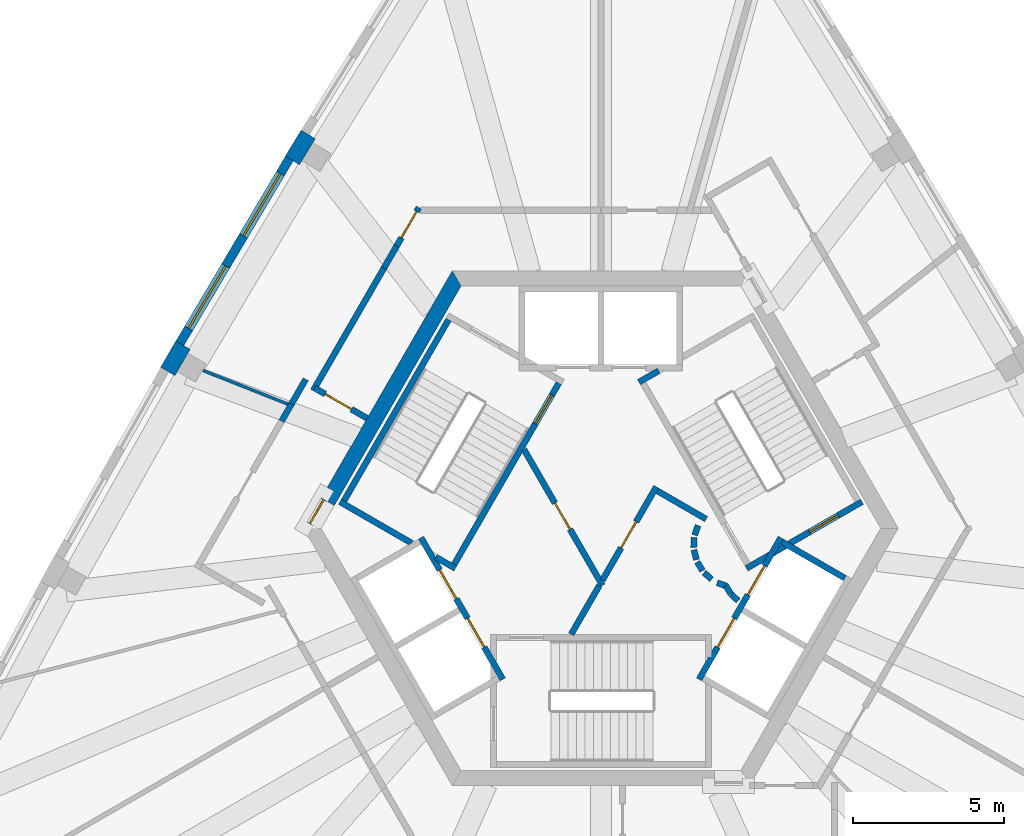
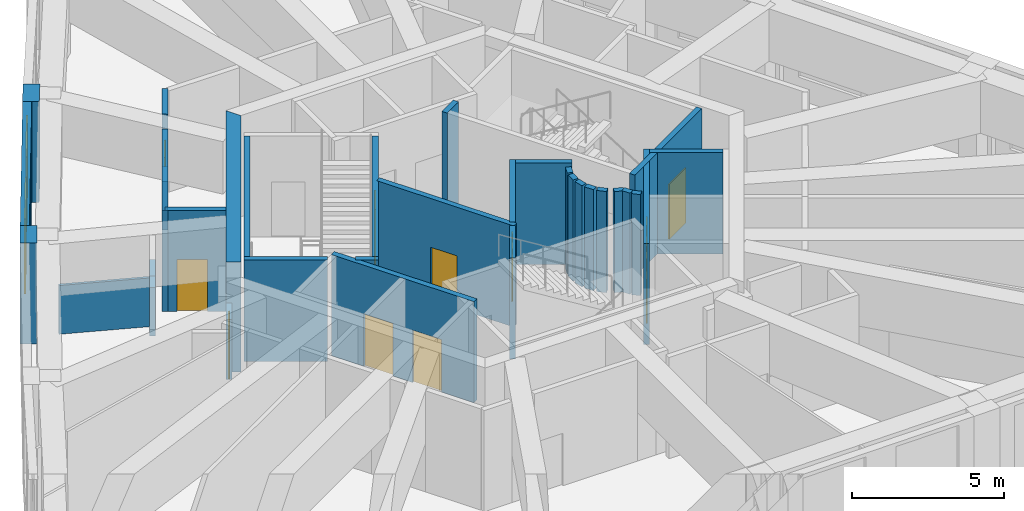
# One storey, part 4 of 9: 33 walls, 11 doors, 2 windows, 13 openings.
"""IFC4 building model written with IfcOpenShell, lengths in metres."""

import ifcopenshell
import ifcopenshell.guid

model = None  # the IFC model being written
_history = None  # IfcOwnerHistory: only IFC2X3 demands one
_inside = {}  # id of a spatial element -> (the spatial element, [elements in it])
_under = {}  # id of a project, library or spatial element -> (it, [spatial elements below it])
_declared = {}  # id of a project -> (the project, [libraries it declares])
_typed = {}  # id of a type object -> (the type object, [elements of that type])
_made_of = {}  # id of a material, layer set ... -> (it, [elements and type objects made of it])


def new_model(schema):
    """Start an empty IFC model of exactly this schema.

    Asked for "IFC4X3", IfcOpenShell would pick the latest addendum, in which some entities
    have other attributes; the version numbers below select the first issue.
    IFC2X3 requires an IfcOwnerHistory on every rooted entity: one is made here for all.
    """
    global model, _history
    if schema == "IFC4X3":
        model = ifcopenshell.file(schema_version=(4, 3, 0, 0))
    else:
        model = ifcopenshell.file(schema=schema)
    _inside.clear()
    _under.clear()
    _declared.clear()
    _typed.clear()
    _made_of.clear()
    _history = None
    if model.schema == "IFC2X3":
        org = make("IfcOrganization", Name="unknown")
        user = make(
            "IfcPersonAndOrganization",
            ThePerson=make("IfcPerson", FamilyName="unknown"),
            TheOrganization=org,
        )
        app = make(
            "IfcApplication",
            ApplicationDeveloper=org,
            Version="unknown",
            ApplicationFullName="unknown",
            ApplicationIdentifier="unknown",
        )
        _history = make(
            "IfcOwnerHistory",
            OwningUser=user,
            OwningApplication=app,
            ChangeAction="ADDED",
            CreationDate=0,
        )
    return model


def make(cls, **values):
    """One entity of the class cls with the attributes given. An attribute that is None is left unset."""
    return model.create_entity(
        cls, **{name: value for name, value in values.items() if value is not None}
    )


def rooted(cls, **values):
    """An entity with a GlobalId (a new one), such as an element, a storey or a relation."""
    return make(cls, GlobalId=ifcopenshell.guid.new(), OwnerHistory=_history, **values)


def si_unit(unit_type, name, prefix=None):
    """IfcSIUnit, for example si_unit("LENGTHUNIT", "METRE", prefix="MILLI")."""
    return make("IfcSIUnit", UnitType=unit_type, Prefix=prefix, Name=name)


def assignment(units):
    """IfcUnitAssignment: the units of a project."""
    return None if units is None else make("IfcUnitAssignment", Units=units)


def point(xyz):
    """IfcCartesianPoint."""
    return None if xyz is None else make("IfcCartesianPoint", Coordinates=xyz)


def direction(xyz):
    """IfcDirection."""
    return None if xyz is None else make("IfcDirection", DirectionRatios=xyz)


def frame(location, z_axis=None, x_axis=None):
    """IfcAxis2Placement3D, a coordinate frame: its origin and axes. An axis left out is left unset."""
    return make(
        "IfcAxis2Placement3D",
        Location=point(location),
        Axis=direction(z_axis),
        RefDirection=direction(x_axis),
    )


def frame_2d(location, x_axis=None):
    """IfcAxis2Placement2D, a coordinate frame in the plane: its origin and x axis."""
    return make(
        "IfcAxis2Placement2D", Location=point(location), RefDirection=direction(x_axis)
    )


def origin():
    """The frame at (0, 0, 0) with its axes left unset."""
    return frame((0.0, 0.0, 0.0))


def place(relative_to, where):
    """IfcLocalPlacement: puts the frame where relative to a parent placement (None: the world)."""
    return make(
        "IfcLocalPlacement", PlacementRelTo=relative_to, RelativePlacement=where
    )


def context(
    kind, dimensions, precision=None, world=None, true_north=None, identifier=None
):
    """IfcGeometricRepresentationContext, for example the 3D "Model" context."""
    return make(
        "IfcGeometricRepresentationContext",
        ContextIdentifier=identifier,
        ContextType=kind,
        CoordinateSpaceDimension=dimensions,
        Precision=precision,
        WorldCoordinateSystem=world,
        TrueNorth=true_north,
    )


def subcontext(parent, identifier, kind, view, scale=None):
    """IfcGeometricRepresentationSubContext, for example "Body" below "Model"."""
    return make(
        "IfcGeometricRepresentationSubContext",
        ContextIdentifier=identifier,
        ContextType=kind,
        ParentContext=parent,
        TargetScale=scale,
        TargetView=view,
    )


def project(units=None, contexts=None):
    """IfcProject with its units and contexts."""
    return rooted(
        "IfcProject",
        Name="project",
        RepresentationContexts=contexts,
        UnitsInContext=assignment(units),
    )


def spatial(cls, under=None, at=None, **own):
    """A site, building, storey or space (cls), placed at a placement, below another one or the project."""
    s = rooted(cls, ObjectPlacement=at, **own)
    if under is not None:
        _under.setdefault(under.id(), (under, []))[1].append(s)
    return s


def polyline(points):
    """IfcPolyline through the points."""
    return make("IfcPolyline", Points=[point(p) for p in points])


def profile(cls, at=None, kind="AREA", **sizes):
    """A parametric profile (cls). Its sizes go by their IFC names, for example OverallWidth=200.0."""
    return make(cls, ProfileType=kind, Position=at, **sizes)


def rectangle(**sizes):
    """IfcRectangleProfileDef."""
    return profile("IfcRectangleProfileDef", **sizes)


def outline(outer, holes=None, kind="AREA"):
    """IfcArbitraryClosedProfileDef: a profile drawn as a closed curve; with holes, ...WithVoids."""
    if holes is None:
        return make("IfcArbitraryClosedProfileDef", ProfileType=kind, OuterCurve=outer)
    return make(
        "IfcArbitraryProfileDefWithVoids",
        ProfileType=kind,
        OuterCurve=outer,
        InnerCurves=holes,
    )


def extrude(swept, where, along, depth):
    """IfcExtrudedAreaSolid: the profile swept, set in the frame where, extruded along a direction by depth."""
    return make(
        "IfcExtrudedAreaSolid",
        SweptArea=swept,
        Position=where,
        ExtrudedDirection=direction(along),
        Depth=depth,
    )


def shape(context_of_items, identifier, shape_type, items):
    """IfcShapeRepresentation: the items that make up one representation, for example the "Body"."""
    return make(
        "IfcShapeRepresentation",
        ContextOfItems=context_of_items,
        RepresentationIdentifier=identifier,
        RepresentationType=shape_type,
        Items=items,
    )


def material(Name=None, Category=None):
    """IfcMaterial."""
    return make("IfcMaterial", Name=Name, Category=Category)


def layer(
    of_material, thickness, ventilated=None, Name=None, Category=None, Priority=None
):
    """IfcMaterialLayer: one layer of a wall or slab, of a material (None: an air gap)."""
    return make(
        "IfcMaterialLayer",
        Material=of_material,
        LayerThickness=thickness,
        IsVentilated=ventilated,
        Name=Name,
        Category=Category,
        Priority=Priority,
    )


def layer_set(layers, Name=None):
    """IfcMaterialLayerSet."""
    return make("IfcMaterialLayerSet", MaterialLayers=layers, LayerSetName=Name)


def made_of(thing, what):
    """Note that an element or type object is made of a material, layer set ...; save() writes the relation."""
    if what is not None:
        _made_of.setdefault(what.id(), (what, []))[1].append(thing)
    return thing


def type_object(cls, material=None, **own):
    """A type object (cls), such as IfcWallType, which elements share."""
    return made_of(rooted(cls, **own), material)


def element(
    cls,
    number,
    at=None,
    inside=None,
    cuts=None,
    type_object=None,
    material=None,
    context=None,
    identifier="Body",
    shape_type=None,
    held_by="IfcProductDefinitionShape",
    body=None,
    shapes=None,
    **own,
):
    """One element of the class cls, such as IfcWall. Its Tag is "e" and its number.

    at: its placement. inside: the storey or other place that contains it. cuts: it is an
    opening in that element (IfcRelVoidsElement). A single representation is given by context,
    identifier, shape_type and body (its items); several are given by shapes. held_by: the class
    of the entity that holds the representations. save() writes the other relations.
    """
    e = rooted(cls, Tag="e%d" % number, ObjectPlacement=at, **own)
    if body is not None:
        shapes = [shape(context, identifier, shape_type, body)]
    if shapes is not None:
        e.Representation = make(held_by, Representations=shapes)
    if inside is not None:
        _inside.setdefault(inside.id(), (inside, []))[1].append(e)
    if cuts is not None:
        rooted(
            "IfcRelVoidsElement", RelatingBuildingElement=cuts, RelatedOpeningElement=e
        )
    if type_object is not None:
        _typed.setdefault(type_object.id(), (type_object, []))[1].append(e)
    return made_of(e, material)


def fill(opening, filler):
    """IfcRelFillsElement: the door or window that sits in an opening."""
    return rooted(
        "IfcRelFillsElement",
        RelatingOpeningElement=opening,
        RelatedBuildingElement=filler,
    )


def aggregate(whole, parts):
    """IfcRelAggregates: a whole, such as a stair, and the parts it consists of."""
    return rooted("IfcRelAggregates", RelatingObject=whole, RelatedObjects=parts)


def save(model, path):
    """Write the relations noted so far, then the file.

    IfcRelAggregates (storeys below a building ...), IfcRelContainedInSpatialStructure (elements
    in a storey), IfcRelDefinesByType, IfcRelAssociatesMaterial and IfcRelDeclares: one each for
    every whole, place, type object, material and project.
    """
    for whole, parts in _under.values():
        aggregate(whole, parts)
    for where, things in _inside.values():
        rooted(
            "IfcRelContainedInSpatialStructure",
            RelatedElements=things,
            RelatingStructure=where,
        )
    for kind, things in _typed.values():
        rooted("IfcRelDefinesByType", RelatedObjects=things, RelatingType=kind)
    for what, things in _made_of.values():
        rooted("IfcRelAssociatesMaterial", RelatedObjects=things, RelatingMaterial=what)
    for by, libraries in _declared.values():
        rooted("IfcRelDeclares", RelatingContext=by, RelatedDefinitions=libraries)
    model.write(path)


model = new_model("IFC4")

# Units and contexts
model_context = context("Model", 3, precision=1e-05, world=origin(), true_north=direction((0.0, 1.0)))
body_context = subcontext(model_context, "Body", "Model", "MODEL_VIEW")
ifc_project = project(units=[si_unit("LENGTHUNIT", "METRE"), si_unit("AREAUNIT", "SQUARE_METRE"), si_unit("VOLUMEUNIT", "CUBIC_METRE"), si_unit("PLANEANGLEUNIT", "RADIAN"), si_unit("MASSUNIT", "GRAM", prefix="KILO")], contexts=[model_context])

# Site, building, storey
site_placement = place(None, origin())
site = spatial("IfcSite", under=ifc_project, at=site_placement, CompositionType="ELEMENT")
building_placement = place(site_placement, origin())
building = spatial("IfcBuilding", under=site, at=building_placement, Name="Entoto Arch Interchange Tower", CompositionType="ELEMENT")
storey_placement = place(building_placement, frame((0.0, 0.0, 335.89990234375)))
storey = spatial("IfcBuildingStorey", under=building, at=storey_placement, Name="L79", CompositionType="ELEMENT", Elevation=335.89990234375)

# Wall, opening, door
ifc_material_1 = material(Name="Reinforced concrete C40/50", Category="concrete")
ifc_layer_1 = layer(ifc_material_1, 0.199951171875)
ifc_layer_set_1 = layer_set([ifc_layer_1], Name="Reinforced concrete C40/50")
wall_type_1 = type_object("IfcWallType", Name="CORE GAP INFILL WALL", PredefinedType="PARTITIONING", material=ifc_layer_set_1)
wall_1_placement = place(storey_placement, frame((-9.14990234375, 3.451904296875, 0.0), z_axis=(0.0, 0.0, 1.0), x_axis=(-0.500079945886, -0.865979242085, 0.0)))
wall_1 = element("IfcWall", 1, at=wall_1_placement, inside=storey, type_object=wall_type_1, Name="wall:L79:gap3", PredefinedType="PARTITIONING", context=body_context, shape_type="SweptSolid", body=[
    extrude(rectangle(XDim=0.926025390625, YDim=0.199951171875, at=frame_2d((0.462890625, 0.0))), origin(), (0.0, 0.0, 1.0), 2.400146484375),
])
opening_1_placement = place(wall_1_placement, frame((0.01708984375, 0.0, 0.0)))
opening_1 = element("IfcOpeningElement", 2, at=opening_1_placement, cuts=wall_1, Name="Opening L79-D93", PredefinedType="OPENING", context=body_context, shape_type="SweptSolid", body=[
    extrude(rectangle(XDim=0.89990234375, YDim=2.10009765625, at=frame_2d((0.449951171875, 1.050048828125))), frame((0.0, 0.10986328125, 0.0), z_axis=(0.0, -1.0, 0.0), x_axis=(1.0, 0.0, 0.0)), (0.0, 0.0, 1.0), 0.219970703125),
])
ifc_material_2 = material(Name="Fire-rated Steel S235 door and frame", Category="steel")
door_type_1 = type_object("IfcDoorType", Name="DOOR FD-09 900x2100", OperationType="SINGLE_SWING_LEFT", PredefinedType="DOOR", material=ifc_material_2)
door_1_placement = place(opening_1_placement, origin())
door_1 = element("IfcDoor", 3, at=door_1_placement, inside=storey, type_object=door_type_1, Name="door:L79:gap3", OperationType="SINGLE_SWING_LEFT", OverallHeight=2.10009765625, OverallWidth=0.89990234375, PredefinedType="DOOR", context=body_context, shape_type="SweptSolid", body=[
    extrude(rectangle(XDim=0.89990234375, YDim=2.10009765625, at=frame_2d((0.449951171875, 1.050048828125))), frame((0.0, 0.02490234375, 0.0), z_axis=(0.0, -1.0, 0.0), x_axis=(1.0, 0.0, 0.0)), (0.0, 0.0, 1.0), 0.050048828125),
])
fill(opening_1, door_1)

# Wall
ifc_material_3 = material(Name="Concrete C40/50", Category="concrete")
ifc_layer_2 = layer(ifc_material_3, 0.5)
ifc_layer_set_2 = layer_set([ifc_layer_2], Name="Concrete C40/50")
wall_type_2 = type_object("IfcWallType", Name="Core wall 500 C40/50", PredefinedType="SHEAR", material=ifc_layer_set_2)
wall_2_placement = place(storey_placement, frame((0.0, 0.0, -0.349853515625)))
element("IfcWall", 4, at=wall_2_placement, inside=storey, type_object=wall_type_2, Name="Core wall NW L79", PredefinedType="SHEAR", context=body_context, shape_type="SweptSolid", body=[
    extrude(outline(polyline([(-9.236083984375, 3.501953125), (-8.802978515625, 3.2529296875), (-4.618896484375, 10.5), (-4.906982421875, 11.0), (-9.236083984375, 3.501953125)])), origin(), (0.0, 0.0, 1.0), 4.39990234375),
])

# Wall, openings, doors
ifc_layer_3 = layer(ifc_material_3, 0.199951171875)
ifc_layer_set_3 = layer_set([ifc_layer_3], Name="Concrete C40/50")
wall_type_3 = type_object("IfcWallType", Name="LIFT SHAFT WALL 200", PredefinedType="STANDARD", material=ifc_layer_set_3)
wall_3_placement = place(storey_placement, frame((-5.93994140625, 2.18798828125, 0.0), z_axis=(0.0, 0.0, 1.0), x_axis=(0.500034260056, -0.866005622828, 0.0)))
wall_3 = element("IfcWall", 5, at=wall_3_placement, inside=storey, type_object=wall_type_3, Name="Shaft wall SW1 front", PredefinedType="STANDARD", context=body_context, shape_type="SweptSolid", body=[
    extrude(rectangle(XDim=5.3994140625, YDim=0.199951171875, at=frame_2d((2.69970703125, 0.0))), origin(), (0.0, 0.0, 1.0), 4.050048828125),
])
opening_2_placement = place(wall_3_placement, frame((3.074951171875, 0.0, 0.0)))
opening_2 = element("IfcOpeningElement", 6, at=opening_2_placement, cuts=wall_3, Name="Opening LD-HR4-L79", PredefinedType="OPENING", context=body_context, shape_type="SweptSolid", body=[
    extrude(rectangle(XDim=1.10009765625, YDim=2.10009765625, at=frame_2d((0.550048828125, 1.050048828125))), frame((0.0, 0.10986328125, 0.0), z_axis=(0.0, -1.0, 0.0), x_axis=(1.0, 0.0, 0.0)), (0.0, 0.0, 1.0), 0.219970703125),
])
opening_3_placement = place(wall_3_placement, frame((1.22509765625, 0.0, 0.0)))
opening_3 = element("IfcOpeningElement", 7, at=opening_3_placement, cuts=wall_3, Name="Opening LD-FF2-L79", PredefinedType="OPENING", context=body_context, shape_type="SweptSolid", body=[
    extrude(rectangle(XDim=1.10009765625, YDim=2.10009765625, at=frame_2d((0.550048828125, 1.050048828125))), frame((0.0, 0.10986328125, 0.0), z_axis=(0.0, -1.0, 0.0), x_axis=(1.0, 0.0, 0.0)), (0.0, 0.0, 1.0), 0.219970703125),
])
ifc_material_4 = material(Name="Stainless steel 1.4301 panels", Category="steel")
door_type_2 = type_object("IfcDoorType", Name="LIFT LANDING DOOR LD1 1100x2100", OperationType="SLIDING_TO_LEFT", PredefinedType="DOOR", material=ifc_material_4)
door_2_placement = place(opening_2_placement, origin())
door_2 = element("IfcDoor", 8, at=door_2_placement, inside=storey, type_object=door_type_2, Name="Lift landing door HR4 L79", OperationType="SLIDING_TO_LEFT", OverallHeight=2.10009765625, OverallWidth=1.10009765625, PredefinedType="DOOR", context=body_context, shape_type="SweptSolid", body=[
    extrude(rectangle(XDim=1.10009765625, YDim=2.10009765625, at=frame_2d((0.550048828125, 1.050048828125))), frame((0.0, 0.02490234375, 0.0), z_axis=(0.0, -1.0, 0.0), x_axis=(1.0, 0.0, 0.0)), (0.0, 0.0, 1.0), 0.050048828125),
])
fill(opening_2, door_2)
door_3_placement = place(opening_3_placement, origin())
door_3 = element("IfcDoor", 9, at=door_3_placement, inside=storey, type_object=door_type_2, Name="Lift landing door FF2 L79", OperationType="SLIDING_TO_LEFT", OverallHeight=2.10009765625, OverallWidth=1.10009765625, PredefinedType="DOOR", context=body_context, shape_type="SweptSolid", body=[
    extrude(rectangle(XDim=1.10009765625, YDim=2.10009765625, at=frame_2d((0.550048828125, 1.050048828125))), frame((0.0, 0.02490234375, 0.0), z_axis=(0.0, -1.0, 0.0), x_axis=(1.0, 0.0, 0.0)), (0.0, 0.0, 1.0), 0.050048828125),
])
fill(opening_3, door_3)

wall_4_placement = place(storey_placement, frame((3.239990234375, -2.488037109375, 0.0), z_axis=(0.0, 0.0, 1.0), x_axis=(0.500034260056, 0.866005622828, 0.0)))
wall_4 = element("IfcWall", 10, at=wall_4_placement, inside=storey, type_object=wall_type_3, Name="Shaft wall SE1 front", PredefinedType="STANDARD", context=body_context, shape_type="SweptSolid", body=[
    extrude(rectangle(XDim=5.3994140625, YDim=0.199951171875, at=frame_2d((2.69970703125, 0.0))), origin(), (0.0, 0.0, 1.0), 4.050048828125),
])
opening_4_placement = place(wall_4_placement, frame((3.22509765625, 0.0, 0.0)))
opening_4 = element("IfcOpeningElement", 11, at=opening_4_placement, cuts=wall_4, Name="Opening LD-HR3-L79", PredefinedType="OPENING", context=body_context, shape_type="SweptSolid", body=[
    extrude(rectangle(XDim=1.10009765625, YDim=2.10009765625, at=frame_2d((0.550048828125, 1.050048828125))), frame((0.0, 0.10986328125, 0.0), z_axis=(0.0, -1.0, 0.0), x_axis=(1.0, 0.0, 0.0)), (0.0, 0.0, 1.0), 0.219970703125),
])
opening_5_placement = place(wall_4_placement, frame((1.22509765625, 0.0, 0.0)))
opening_5 = element("IfcOpeningElement", 12, at=opening_5_placement, cuts=wall_4, Name="Opening LD-FF1-L79", PredefinedType="OPENING", context=body_context, shape_type="SweptSolid", body=[
    extrude(rectangle(XDim=1.10009765625, YDim=2.10009765625, at=frame_2d((0.550048828125, 1.050048828125))), frame((0.0, 0.10986328125, 0.0), z_axis=(0.0, -1.0, 0.0), x_axis=(1.0, 0.0, 0.0)), (0.0, 0.0, 1.0), 0.219970703125),
])
door_4_placement = place(opening_4_placement, origin())
door_4 = element("IfcDoor", 13, at=door_4_placement, inside=storey, type_object=door_type_2, Name="Lift landing door HR3 L79", OperationType="SLIDING_TO_LEFT", OverallHeight=2.10009765625, OverallWidth=1.10009765625, PredefinedType="DOOR", context=body_context, shape_type="SweptSolid", body=[
    extrude(rectangle(XDim=1.10009765625, YDim=2.10009765625, at=frame_2d((0.550048828125, 1.050048828125))), frame((0.0, 0.02490234375, 0.0), z_axis=(0.0, -1.0, 0.0), x_axis=(1.0, 0.0, 0.0)), (0.0, 0.0, 1.0), 0.050048828125),
])
fill(opening_4, door_4)
door_5_placement = place(opening_5_placement, origin())
door_5 = element("IfcDoor", 14, at=door_5_placement, inside=storey, type_object=door_type_2, Name="Lift landing door FF1 L79", OperationType="SLIDING_TO_LEFT", OverallHeight=2.10009765625, OverallWidth=1.10009765625, PredefinedType="DOOR", context=body_context, shape_type="SweptSolid", body=[
    extrude(rectangle(XDim=1.10009765625, YDim=2.10009765625, at=frame_2d((0.550048828125, 1.050048828125))), frame((0.0, 0.02490234375, 0.0), z_axis=(0.0, -1.0, 0.0), x_axis=(1.0, 0.0, 0.0)), (0.0, 0.0, 1.0), 0.050048828125),
])
fill(opening_5, door_5)

# Walls
wall_5_placement = place(storey_placement, frame((5.97705078125, 2.052001953125, 0.0), z_axis=(0.0, 0.0, 1.0), x_axis=(0.865973769406, -0.500089422704, 0.0)))
element("IfcWall", 15, at=wall_5_placement, inside=storey, type_object=wall_type_3, Name="Shaft wall SE1 cross 3", PredefinedType="STANDARD", context=body_context, shape_type="SweptSolid", body=[
    extrude(rectangle(XDim=2.3994140625, YDim=0.199951171875, at=frame_2d((1.19970703125, 0.0))), origin(), (0.0, 0.0, 1.0), 4.050048828125),
])
ifc_material_5 = material(Name="Gypsum board partition on steel studs", Category="steel")
ifc_layer_4 = layer(ifc_material_5, 0.10009765625)
ifc_layer_set_4 = layer_set([ifc_layer_4], Name="Gypsum board partition on steel studs")
wall_type_4 = type_object("IfcWallType", Name="PARTITION 100", PredefinedType="PARTITIONING", material=ifc_layer_set_4)
wall_6_placement = place(storey_placement, frame((-13.135009765625, 7.708984375, 0.0), z_axis=(0.0, 0.0, 1.0), x_axis=(0.929543616209, -0.368712171707, 0.0)))
element("IfcWall", 16, at=wall_6_placement, inside=storey, type_object=wall_type_4, Name="wall:L79:p047", PredefinedType="PARTITIONING", context=body_context, shape_type="SweptSolid", body=[
    extrude(rectangle(XDim=3.11328125, YDim=0.10009765625, at=frame_2d((1.556640625, 0.0))), origin(), (0.0, 0.0, 1.0), 1.9501953125),
])
ifc_layer_5 = layer(ifc_material_5, 0.199951171875)
ifc_layer_set_5 = layer_set([ifc_layer_5], Name="Gypsum board partition on steel studs")
wall_type_5 = type_object("IfcWallType", Name="PARTITION 200", PredefinedType="PARTITIONING", material=ifc_layer_set_5)
wall_7_placement = place(storey_placement, frame((-0.98193359375, -1.0, 0.0), z_axis=(0.0, 0.0, 1.0), x_axis=(0.50024047865, 0.865886518847, 0.0)))
element("IfcWall", 17, at=wall_7_placement, inside=storey, type_object=wall_type_5, Name="wall:L79:p001", PredefinedType="PARTITIONING", context=body_context, shape_type="SweptSolid", body=[
    extrude(rectangle(XDim=1.86279296875, YDim=0.199951171875, at=frame_2d((0.931396484375, 0.0))), origin(), (0.0, 0.0, 1.0), 4.050048828125),
])
wall_8_placement = place(storey_placement, frame((1.865966796875, 3.73193359375, 0.0), z_axis=(0.0, 0.0, 1.0), x_axis=(0.866043361281, -0.499968895414, 0.0)))
element("IfcWall", 18, at=wall_8_placement, inside=storey, type_object=wall_type_5, Name="wall:L79:p002", PredefinedType="PARTITIONING", context=body_context, shape_type="SweptSolid", body=[
    extrude(rectangle(XDim=1.85791015625, YDim=0.199951171875, at=frame_2d((0.928955078125, 0.0))), origin(), (0.0, 0.0, 1.0), 4.050048828125),
])
wall_9_placement = place(storey_placement, frame((3.2080078125, 2.592041015625, 0.0), z_axis=(0.0, 0.0, 1.0), x_axis=(-0.337388820924, -0.941365382578, 0.0)))
element("IfcWall", 19, at=wall_9_placement, inside=storey, type_object=wall_type_5, Name="wall:L79:p003", PredefinedType="PARTITIONING", context=body_context, shape_type="SweptSolid", body=[
    extrude(rectangle(XDim=0.337890625, YDim=0.199951171875, at=frame_2d((0.1689453125, 0.0))), origin(), (0.0, 0.0, 1.0), 4.050048828125),
])
wall_10_placement = place(storey_placement, frame((3.0791015625, 2.198974609375, 0.0), z_axis=(0.0, 0.0, 1.0), x_axis=(-0.047771483479, -0.998858290933, 0.0)))
element("IfcWall", 20, at=wall_10_placement, inside=storey, type_object=wall_type_5, Name="wall:L79:p004", PredefinedType="PARTITIONING", context=body_context, shape_type="SweptSolid", body=[
    extrude(rectangle(XDim=0.33740234375, YDim=0.199951171875, at=frame_2d((0.168701171875, 0.0))), origin(), (0.0, 0.0, 1.0), 4.050048828125),
])
wall_11_placement = place(storey_placement, frame((3.070068359375, 1.785888671875, 0.0), z_axis=(0.0, 0.0, 1.0), x_axis=(0.242705583207, -0.970099994784, 0.0)))
element("IfcWall", 21, at=wall_11_placement, inside=storey, type_object=wall_type_5, Name="wall:L79:p005", PredefinedType="PARTITIONING", context=body_context, shape_type="SweptSolid", body=[
    extrude(rectangle(XDim=0.337890625, YDim=0.199951171875, at=frame_2d((0.1689453125, 0.0))), origin(), (0.0, 0.0, 1.0), 4.050048828125),
])
for number, where, z_axis, x_axis, name in (
    (22, (3.181884765625, 1.387939453125, 0.0), (0.0, 0.0, 1.0), (0.512474702713, -0.85870232274, 0.0), "wall:L79:p006"),
    (23, (3.404052734375, 1.0390625, 0.0), (0.0, 0.0, 1.0), (0.740267097712, -0.672312891476, 0.0), "wall:L79:p007"),
):
    element("IfcWall", number, at=place(storey_placement, frame(where, z_axis=z_axis, x_axis=x_axis)), inside=storey, type_object=wall_type_5, Name=name, PredefinedType="PARTITIONING", context=body_context, shape_type="SweptSolid", body=[
        extrude(rectangle(XDim=0.337646484375, YDim=0.199951171875, at=frame_2d((0.1689453125, 0.0))), origin(), (0.0, 0.0, 1.0), 4.050048828125),
    ])
wall_12_placement = place(storey_placement, frame((3.837890625, 0.701904296875, 0.0), z_axis=(0.0, 0.0, 1.0), x_axis=(0.941035081519, -0.338308993895, 0.0)))
element("IfcWall", 24, at=wall_12_placement, inside=storey, type_object=wall_type_5, Name="wall:L79:p008", PredefinedType="PARTITIONING", context=body_context, shape_type="SweptSolid", body=[
    extrude(rectangle(XDim=0.3369140625, YDim=0.199951171875, at=frame_2d((0.16845703125, 0.0))), origin(), (0.0, 0.0, 1.0), 4.050048828125),
])
wall_13_placement = place(storey_placement, frame((4.132080078125, 0.593017578125, 0.0), z_axis=(0.0, 0.0, 1.0), x_axis=(0.513561617048, -0.858052717201, 0.0)))
element("IfcWall", 25, at=wall_13_placement, inside=storey, type_object=wall_type_5, Name="wall:L79:p009", PredefinedType="PARTITIONING", context=body_context, shape_type="SweptSolid", body=[
    extrude(rectangle(XDim=0.3076171875, YDim=0.199951171875, at=frame_2d((0.15380859375, 0.0))), origin(), (0.0, 0.0, 1.0), 4.050048828125),
])
wall_14_placement = place(storey_placement, frame((4.301025390625, 0.31494140625, 0.0), z_axis=(0.0, 0.0, 1.0), x_axis=(0.741798017506, -0.670623367639, 0.0)))
element("IfcWall", 26, at=wall_14_placement, inside=storey, type_object=wall_type_5, Name="wall:L79:p010", PredefinedType="PARTITIONING", context=body_context, shape_type="SweptSolid", body=[
    extrude(rectangle(XDim=0.30859375, YDim=0.199951171875, at=frame_2d((0.154296875, 0.0))), origin(), (0.0, 0.0, 1.0), 4.050048828125),
])

# Wall, opening, door
wall_15_placement = place(storey_placement, frame((0.050048828125, 0.787109375, 0.0), z_axis=(0.0, 0.0, 1.0), x_axis=(0.499954076797, 0.866051915934, 0.0)))
wall_15 = element("IfcWall", 27, at=wall_15_placement, inside=storey, type_object=wall_type_5, Name="wall:L79:p011", PredefinedType="PARTITIONING", context=body_context, shape_type="SweptSolid", body=[
    extrude(rectangle(XDim=3.558349609375, YDim=0.199951171875, at=frame_2d((1.779296875, 0.0))), origin(), (0.0, 0.0, 1.0), 4.050048828125),
])
opening_6_placement = place(wall_15_placement, frame((1.22900390625, 0.0, 0.0)))
opening_6 = element("IfcOpeningElement", 28, at=opening_6_placement, cuts=wall_15, Name="Opening L79-D15", PredefinedType="OPENING", context=body_context, shape_type="SweptSolid", body=[
    extrude(rectangle(XDim=1.0, YDim=2.10009765625, at=frame_2d((0.5, 1.050048828125))), frame((0.0, 0.10986328125, 0.0), z_axis=(0.0, -1.0, 0.0), x_axis=(1.0, 0.0, 0.0)), (0.0, 0.0, 1.0), 0.219970703125),
])
door_type_3 = type_object("IfcDoorType", Name="DOOR FD-10 1000x2100", OperationType="SINGLE_SWING_LEFT", PredefinedType="DOOR", material=ifc_material_2)
door_6_placement = place(opening_6_placement, origin())
door_6 = element("IfcDoor", 29, at=door_6_placement, inside=storey, type_object=door_type_3, Name="door:L79:15", OperationType="SINGLE_SWING_RIGHT", OverallHeight=2.10009765625, OverallWidth=1.0, PredefinedType="DOOR", context=body_context, shape_type="SweptSolid", body=[
    extrude(rectangle(XDim=1.0, YDim=2.10009765625, at=frame_2d((0.5, 1.050048828125))), frame((0.0, 0.02490234375, 0.0), z_axis=(0.0, -1.0, 0.0), x_axis=(1.0, 0.0, 0.0)), (0.0, 0.0, 1.0), 0.050048828125),
])
fill(opening_6, door_6)

wall_16_placement = place(storey_placement, frame((-2.5400390625, 5.10009765625, 0.0), z_axis=(0.0, 0.0, 1.0), x_axis=(0.499925051871, -0.866068670783, 0.0)))
wall_16 = element("IfcWall", 30, at=wall_16_placement, inside=storey, type_object=wall_type_5, Name="wall:L79:p012", PredefinedType="PARTITIONING", context=body_context, shape_type="SweptSolid", body=[
    extrude(rectangle(XDim=5.180908203125, YDim=0.199951171875, at=frame_2d((2.59033203125, 0.0))), origin(), (0.0, 0.0, 1.0), 4.050048828125),
])
opening_7_placement = place(wall_16_placement, frame((2.0400390625, 0.0, 0.0)))
opening_7 = element("IfcOpeningElement", 31, at=opening_7_placement, cuts=wall_16, Name="Opening L79-D16", PredefinedType="OPENING", context=body_context, shape_type="SweptSolid", body=[
    extrude(rectangle(XDim=1.0, YDim=2.10009765625, at=frame_2d((0.5, 1.050048828125))), frame((0.0, 0.10986328125, 0.0), z_axis=(0.0, -1.0, 0.0), x_axis=(1.0, 0.0, 0.0)), (0.0, 0.0, 1.0), 0.219970703125),
])
door_7_placement = place(opening_7_placement, origin())
door_7 = element("IfcDoor", 32, at=door_7_placement, inside=storey, type_object=door_type_3, Name="door:L79:16", OperationType="SINGLE_SWING_RIGHT", OverallHeight=2.10009765625, OverallWidth=1.0, PredefinedType="DOOR", context=body_context, shape_type="SweptSolid", body=[
    extrude(rectangle(XDim=1.0, YDim=2.10009765625, at=frame_2d((0.5, 1.050048828125))), frame((0.0, 0.02490234375, 0.0), z_axis=(0.0, -1.0, 0.0), x_axis=(1.0, 0.0, 0.0)), (0.0, 0.0, 1.0), 0.050048828125),
])
fill(opening_7, door_7)

wall_17_placement = place(storey_placement, frame((-9.449951171875, 7.132080078125, 0.0), z_axis=(0.0, 0.0, 1.0), x_axis=(0.866010750942, -0.50002537861, 0.0)))
wall_17 = element("IfcWall", 33, at=wall_17_placement, inside=storey, type_object=wall_type_5, Name="wall:L79:p039", PredefinedType="PARTITIONING", context=body_context, shape_type="SweptSolid", body=[
    extrude(rectangle(XDim=2.0, YDim=0.199951171875, at=frame_2d((1.0, 0.0))), origin(), (0.0, 0.0, 1.0), 4.050048828125),
])
opening_8_placement = place(wall_17_placement, frame((0.39990234375, 0.0, 0.0)))
opening_8 = element("IfcOpeningElement", 34, at=opening_8_placement, cuts=wall_17, Name="Opening L79-D11", PredefinedType="OPENING", context=body_context, shape_type="SweptSolid", body=[
    extrude(rectangle(XDim=1.0, YDim=2.10009765625, at=frame_2d((0.5, 1.050048828125))), frame((0.0, 0.10986328125, 0.0), z_axis=(0.0, -1.0, 0.0), x_axis=(1.0, 0.0, 0.0)), (0.0, 0.0, 1.0), 0.219970703125),
])
door_8_placement = place(opening_8_placement, origin())
door_8 = element("IfcDoor", 35, at=door_8_placement, inside=storey, type_object=door_type_3, Name="door:L79:11", OperationType="SINGLE_SWING_LEFT", OverallHeight=2.10009765625, OverallWidth=1.0, PredefinedType="DOOR", context=body_context, shape_type="SweptSolid", body=[
    extrude(rectangle(XDim=1.0, YDim=2.10009765625, at=frame_2d((0.5, 1.050048828125))), frame((0.0, 0.02490234375, 0.0), z_axis=(0.0, -1.0, 0.0), x_axis=(1.0, 0.0, 0.0)), (0.0, 0.0, 1.0), 0.050048828125),
])
fill(opening_8, door_8)

# Walls
wall_18_placement = place(storey_placement, frame((-10.216064453125, 6.60400390625, 0.0), z_axis=(0.0, 0.0, 1.0), x_axis=(0.499572668549, 0.866271983178, 0.0)))
element("IfcWall", 36, at=wall_18_placement, inside=storey, type_object=wall_type_5, Name="wall:L79:p043", PredefinedType="PARTITIONING", context=body_context, shape_type="SweptSolid", body=[
    extrude(rectangle(XDim=0.940673828125, YDim=0.199951171875, at=frame_2d((0.47021484375, 0.0))), origin(), (0.0, 0.0, 1.0), 1.9501953125),
])
wall_19_placement = place(storey_placement, frame((-9.5, 7.044921875, 0.0), z_axis=(0.0, 0.0, 1.0), x_axis=(0.500007559336, 0.866021039356, 0.0)))
element("IfcWall", 37, at=wall_19_placement, inside=storey, type_object=wall_type_5, Name="wall:L79:p045", PredefinedType="PARTITIONING", context=body_context, shape_type="SweptSolid", body=[
    extrude(rectangle(XDim=4.669921875, YDim=0.199951171875, at=frame_2d((2.3349609375, 0.0))), origin(), (0.0, 0.0, 1.0), 4.050048828125),
])
wall_20_placement = place(storey_placement, frame((-10.54296875, 6.037109375, 0.0), z_axis=(0.0, 0.0, 1.0), x_axis=(0.49955019049, 0.86628494572, 0.0)))
element("IfcWall", 38, at=wall_20_placement, inside=storey, type_object=wall_type_5, Name="wall:L79:p041", PredefinedType="PARTITIONING", context=body_context, shape_type="SweptSolid", body=[
    extrude(rectangle(XDim=0.654296875, YDim=0.199951171875, at=frame_2d((0.3271484375, 0.0))), origin(), (0.0, 0.0, 1.0), 1.9501953125),
])
wall_21_placement = place(storey_placement, frame((-7.1650390625, 11.089111328125, 0.0), z_axis=(0.0, 0.0, 1.0), x_axis=(0.499024148071, 0.866588079564, 0.0)))
element("IfcWall", 39, at=wall_21_placement, inside=storey, type_object=wall_type_5, Name="wall:L79:p045", PredefinedType="PARTITIONING", context=body_context, shape_type="SweptSolid", body=[
    extrude(rectangle(XDim=0.837646484375, YDim=0.199951171875, at=frame_2d((0.4189453125, 0.0))), origin(), (0.0, 0.0, 1.0), 1.9501953125),
])

# Wall, opening, door
wall_22_placement = place(storey_placement, frame((-6.7470703125, 11.81494140625, 0.0), z_axis=(0.0, 0.0, 1.0), x_axis=(0.500374498448, 0.865809079014, 0.0)))
wall_22 = element("IfcWall", 40, at=wall_22_placement, inside=storey, type_object=wall_type_5, Name="wall:L79:p045", PredefinedType="PARTITIONING", context=body_context, shape_type="SweptSolid", body=[
    extrude(rectangle(XDim=1.468994140625, YDim=0.199951171875, at=frame_2d((0.734375, 0.0))), origin(), (0.0, 0.0, 1.0), 4.050048828125),
])
opening_9_placement = place(wall_22_placement, frame((0.319091796875, 0.0, 0.0)))
opening_9 = element("IfcOpeningElement", 41, at=opening_9_placement, cuts=wall_22, Name="Opening L79-D13", PredefinedType="OPENING", context=body_context, shape_type="SweptSolid", body=[
    extrude(rectangle(XDim=1.0, YDim=2.10009765625, at=frame_2d((0.5, 1.050048828125))), frame((0.0, 0.10986328125, 0.0), z_axis=(0.0, -1.0, 0.0), x_axis=(1.0, 0.0, 0.0)), (0.0, 0.0, 1.0), 0.219970703125),
])
ifc_material_6 = material(Name="Timber door leaf in Steel S235 frame", Category="steel")
door_type_4 = type_object("IfcDoorType", Name="DOOR DS-10 1000x2100", OperationType="SINGLE_SWING_LEFT", PredefinedType="DOOR", material=ifc_material_6)
door_9_placement = place(opening_9_placement, origin())
door_9 = element("IfcDoor", 42, at=door_9_placement, inside=storey, type_object=door_type_4, Name="door:L79:13", OperationType="SINGLE_SWING_RIGHT", OverallHeight=2.10009765625, OverallWidth=1.0, PredefinedType="DOOR", context=body_context, shape_type="SweptSolid", body=[
    extrude(rectangle(XDim=1.0, YDim=2.10009765625, at=frame_2d((0.5, 1.050048828125))), frame((0.0, 0.02490234375, 0.0), z_axis=(0.0, -1.0, 0.0), x_axis=(1.0, 0.0, 0.0)), (0.0, 0.0, 1.0), 0.050048828125),
])
fill(opening_9, door_9)

ifc_layer_6 = layer(ifc_material_3, 0.199951171875)
ifc_layer_set_6 = layer_set([ifc_layer_6], Name="Concrete C40/50")
wall_type_6 = type_object("IfcWallType", Name="STAIR ENCLOSURE WALL 200", PredefinedType="STANDARD", material=ifc_layer_set_6)
wall_23_placement = place(storey_placement, frame((4.805908203125, 1.176025390625, 0.0), z_axis=(0.0, 0.0, 1.0), x_axis=(0.866059941101, 0.499940174841, 0.0)))
wall_23 = element("IfcWall", 43, at=wall_23_placement, inside=storey, type_object=wall_type_6, Name="Stair wall ST-NE near", PredefinedType="STANDARD", context=body_context, shape_type="SweptSolid", body=[
    extrude(rectangle(XDim=4.400390625, YDim=0.199951171875, at=frame_2d((2.2001953125, 0.0))), origin(), (0.0, 0.0, 1.0), 4.050048828125),
])
opening_10_placement = place(wall_23_placement, frame((2.39990234375, 0.0, 0.0)))
opening_10 = element("IfcOpeningElement", 44, at=opening_10_placement, cuts=wall_23, Name="Opening SD-ST-NE-L79-E", PredefinedType="OPENING", context=body_context, shape_type="SweptSolid", body=[
    extrude(rectangle(XDim=1.10009765625, YDim=2.199951171875, at=frame_2d((0.550048828125, 1.10009765625))), frame((0.0, 0.10986328125, 0.0), z_axis=(0.0, -1.0, 0.0), x_axis=(1.0, 0.0, 0.0)), (0.0, 0.0, 1.0), 0.219970703125),
])
ifc_material_7 = material(Name="Steel S235", Category="steel")
door_type_5 = type_object("IfcDoorType", Name="STAIR DOOR SD1 1100x2200", OperationType="SINGLE_SWING_LEFT", PredefinedType="DOOR", material=ifc_material_7)
door_10_placement = place(opening_10_placement, origin())
door_10 = element("IfcDoor", 45, at=door_10_placement, inside=storey, type_object=door_type_5, Name="Stair door ST-NE L79 end", OperationType="SINGLE_SWING_LEFT", OverallHeight=2.199951171875, OverallWidth=1.10009765625, PredefinedType="DOOR", context=body_context, shape_type="SweptSolid", body=[
    extrude(rectangle(XDim=1.10009765625, YDim=2.199951171875, at=frame_2d((0.550048828125, 1.10009765625))), frame((0.0, 0.02490234375, 0.0), z_axis=(0.0, -1.0, 0.0), x_axis=(1.0, 0.0, 0.0)), (0.0, 0.0, 1.0), 0.050048828125),
])
fill(opening_10, door_10)

# Walls
wall_24_placement = place(storey_placement, frame((1.256103515625, 7.323974609375, 0.0), z_axis=(0.0, 0.0, 1.0), x_axis=(0.865915093549, 0.500191014278, 0.0)))
element("IfcWall", 46, at=wall_24_placement, inside=storey, type_object=wall_type_6, Name="Stair wall ST-NE far return", PredefinedType="STANDARD", context=body_context, shape_type="SweptSolid", body=[
    extrude(rectangle(XDim=0.751708984375, YDim=0.199951171875, at=frame_2d((0.3759765625, 0.0))), origin(), (0.0, 0.0, 1.0), 4.050048828125),
])
wall_25_placement = place(storey_placement, frame((-6.25, 2.010009765625, 0.0), z_axis=(0.0, 0.0, 1.0), x_axis=(-0.86611865017, 0.499838457731, 0.0)))
element("IfcWall", 47, at=wall_25_placement, inside=storey, type_object=wall_type_6, Name="Stair wall ST-NW far", PredefinedType="STANDARD", context=body_context, shape_type="SweptSolid", body=[
    extrude(rectangle(XDim=2.73291015625, YDim=0.199951171875, at=frame_2d((1.366455078125, 0.0))), origin(), (0.0, 0.0, 1.0), 4.050048828125),
])
wall_26_placement = place(storey_placement, frame((-4.805908203125, 1.176025390625, 0.0), z_axis=(0.0, 0.0, 1.0), x_axis=(-0.866558586415, 0.499075361355, 0.0)))
element("IfcWall", 48, at=wall_26_placement, inside=storey, type_object=wall_type_6, Name="Stair wall ST-NW far return", PredefinedType="STANDARD", context=body_context, shape_type="SweptSolid", body=[
    extrude(rectangle(XDim=0.75146484375, YDim=0.199951171875, at=frame_2d((0.375732421875, 0.0))), origin(), (0.0, 0.0, 1.0), 4.050048828125),
])

# Wall, opening, door
wall_27_placement = place(storey_placement, frame((-1.39306640625, 7.2880859375, 0.0), z_axis=(0.0, 0.0, 1.0), x_axis=(-0.499963383562, -0.866046543262, 0.0)))
wall_27 = element("IfcWall", 49, at=wall_27_placement, inside=storey, type_object=wall_type_6, Name="Stair wall ST-NW hall", PredefinedType="STANDARD", context=body_context, shape_type="SweptSolid", body=[
    extrude(rectangle(XDim=6.900390625, YDim=0.199951171875, at=frame_2d((3.4501953125, 0.0))), origin(), (0.0, 0.0, 1.0), 4.050048828125),
])
opening_11_placement = place(wall_27_placement, frame((0.449951171875, 0.0, 0.0)))
opening_11 = element("IfcOpeningElement", 50, at=opening_11_placement, cuts=wall_27, Name="Opening SD-ST-NW-L79", PredefinedType="OPENING", context=body_context, shape_type="SweptSolid", body=[
    extrude(rectangle(XDim=1.10009765625, YDim=2.199951171875, at=frame_2d((0.550048828125, 1.10009765625))), frame((0.0, 0.10986328125, 0.0), z_axis=(0.0, -1.0, 0.0), x_axis=(1.0, 0.0, 0.0)), (0.0, 0.0, 1.0), 0.219970703125),
])
door_11_placement = place(opening_11_placement, origin())
door_11 = element("IfcDoor", 51, at=door_11_placement, inside=storey, type_object=door_type_5, Name="Stair door ST-NW L79", OperationType="SINGLE_SWING_LEFT", OverallHeight=2.199951171875, OverallWidth=1.10009765625, PredefinedType="DOOR", context=body_context, shape_type="SweptSolid", body=[
    extrude(rectangle(XDim=1.10009765625, YDim=2.199951171875, at=frame_2d((0.550048828125, 1.10009765625))), frame((0.0, 0.02490234375, 0.0), z_axis=(0.0, -1.0, 0.0), x_axis=(1.0, 0.0, 0.0)), (0.0, 0.0, 1.0), 0.050048828125),
])
fill(opening_11, door_11)

# Wall
wall_28_placement = place(storey_placement, frame((-5.030029296875, 9.387939453125, 0.0), z_axis=(0.0, 0.0, 1.0), x_axis=(-0.499978703459, -0.866037698999, 0.0)))
element("IfcWall", 52, at=wall_28_placement, inside=storey, type_object=wall_type_6, Name="Stair wall ST-NW back", PredefinedType="STANDARD", context=body_context, shape_type="SweptSolid", body=[
    extrude(rectangle(XDim=6.900146484375, YDim=0.199951171875, at=frame_2d((3.4501953125, 0.0))), origin(), (0.0, 0.0, 1.0), 4.050048828125),
])

# Wall, openings, windows
ifc_material_8 = material(Name="Welded tuff (ignimbrite) cladding, warm buff", Category="masonry")
ifc_layer_7 = layer(ifc_material_8, 0.300048828125)
ifc_layer_set_7 = layer_set([ifc_layer_7], Name="Welded tuff (ignimbrite) cladding, warm buff")
wall_type_7 = type_object("IfcWallType", Name="STONE INFILL WALL 300", PredefinedType="STANDARD", material=ifc_layer_set_7)
wall_29_placement = place(storey_placement, frame((-10.287109375, 14.7109375, 0.0), z_axis=(0.0, 0.0, 1.0), x_axis=(-0.509697735304, -0.86035354281, 0.0)))
wall_29 = element("IfcWall", 53, at=wall_29_placement, inside=storey, type_object=wall_type_7, Name="Facade wall NW-02 L79", PredefinedType="STANDARD", context=body_context, shape_type="SweptSolid", body=[
    extrude(rectangle(XDim=7.09814453125, YDim=0.300048828125, at=frame_2d((3.549072265625, 0.0))), origin(), (0.0, 0.0, 1.0), 4.050048828125),
])
opening_12_placement = place(wall_29_placement, frame((0.574951171875, 0.0, 0.89990234375)))
opening_12 = element("IfcOpeningElement", 54, at=opening_12_placement, cuts=wall_29, Name="Opening WK-A", PredefinedType="OPENING", context=body_context, shape_type="SweptSolid", body=[
    extrude(rectangle(XDim=2.39990234375, YDim=3.0, at=frame_2d((1.199951171875, 1.5))), frame((0.0, 0.16015625, 0.0), z_axis=(0.0, -1.0, 0.0), x_axis=(1.0, 0.0, 0.0)), (0.0, 0.0, 1.0), 0.320068359375),
])
opening_13_placement = place(wall_29_placement, frame((4.1240234375, 0.0, 0.89990234375)))
opening_13 = element("IfcOpeningElement", 55, at=opening_13_placement, cuts=wall_29, Name="Opening WK-A", PredefinedType="OPENING", context=body_context, shape_type="SweptSolid", body=[
    extrude(rectangle(XDim=2.39990234375, YDim=3.0, at=frame_2d((1.199951171875, 1.5))), frame((0.0, 0.16015625, 0.0), z_axis=(0.0, -1.0, 0.0), x_axis=(1.0, 0.0, 0.0)), (0.0, 0.0, 1.0), 0.320068359375),
])
ifc_material_9 = material(Name="Clear glass, low-e double glazed", Category="glass")
window_type = type_object("IfcWindowType", Name="WINDOW WK-A 2400x3000", PartitioningType="DOUBLE_PANEL_VERTICAL", PredefinedType="WINDOW", material=ifc_material_9)
window_1_placement = place(opening_12_placement, origin())
window_1 = element("IfcWindow", 56, at=window_1_placement, inside=storey, type_object=window_type, Name="Window WK-A NW-02 L79", OverallHeight=3.0, OverallWidth=2.39990234375, PartitioningType="SINGLE_PANEL", PredefinedType="WINDOW", context=body_context, shape_type="SweptSolid", body=[
    extrude(rectangle(XDim=2.39990234375, YDim=3.0, at=frame_2d((1.199951171875, 1.5))), frame((0.0, 0.030029296875, 0.0), z_axis=(0.0, -1.0, 0.0), x_axis=(1.0, 0.0, 0.0)), (0.0, 0.0, 1.0), 0.06005859375),
])
fill(opening_12, window_1)
window_2_placement = place(opening_13_placement, origin())
window_2 = element("IfcWindow", 57, at=window_2_placement, inside=storey, type_object=window_type, Name="Window WK-A NW-02 L79", OverallHeight=3.0, OverallWidth=2.39990234375, PartitioningType="SINGLE_PANEL", PredefinedType="WINDOW", context=body_context, shape_type="SweptSolid", body=[
    extrude(rectangle(XDim=2.39990234375, YDim=3.0, at=frame_2d((1.199951171875, 1.5))), frame((0.0, 0.030029296875, 0.0), z_axis=(0.0, -1.0, 0.0), x_axis=(1.0, 0.0, 0.0)), (0.0, 0.0, 1.0), 0.06005859375),
])
fill(opening_13, window_2)

# Walls
ifc_layer_8 = layer(ifc_material_8, 0.550048828125)
ifc_layer_set_8 = layer_set([ifc_layer_8], Name="Welded tuff (ignimbrite) cladding, warm buff")
wall_type_8 = type_object("IfcWallType", Name="STONE PIER CLADDING 550", PredefinedType="STANDARD", material=ifc_layer_set_8)
wall_30_placement = place(storey_placement, frame((-9.666015625, 15.501953125, 0.0), z_axis=(0.0, 0.0, 1.0), x_axis=(-0.520086370604, -0.854113673414, 0.0)))
element("IfcWall", 58, at=wall_30_placement, inside=storey, type_object=wall_type_8, Name="Stone pier NW02 L79", PredefinedType="STANDARD", context=body_context, shape_type="SweptSolid", body=[
    extrude(rectangle(XDim=0.999755859375, YDim=0.550048828125, at=frame_2d((0.5, 0.0))), origin(), (0.0, 0.0, 1.0), 4.050048828125),
])
wall_31_placement = place(storey_placement, frame((-13.801025390625, 8.5458984375, 0.0), z_axis=(0.0, 0.0, 1.0), x_axis=(-0.49960277677, -0.866254619292, 0.0)))
element("IfcWall", 59, at=wall_31_placement, inside=storey, type_object=wall_type_8, Name="Stone pier NW03 L79", PredefinedType="STANDARD", context=body_context, shape_type="SweptSolid", body=[
    extrude(rectangle(XDim=1.000732421875, YDim=0.550048828125, at=frame_2d((0.50048828125, 0.0))), origin(), (0.0, 0.0, 1.0), 4.050048828125),
])

save(model, "model.ifc")
